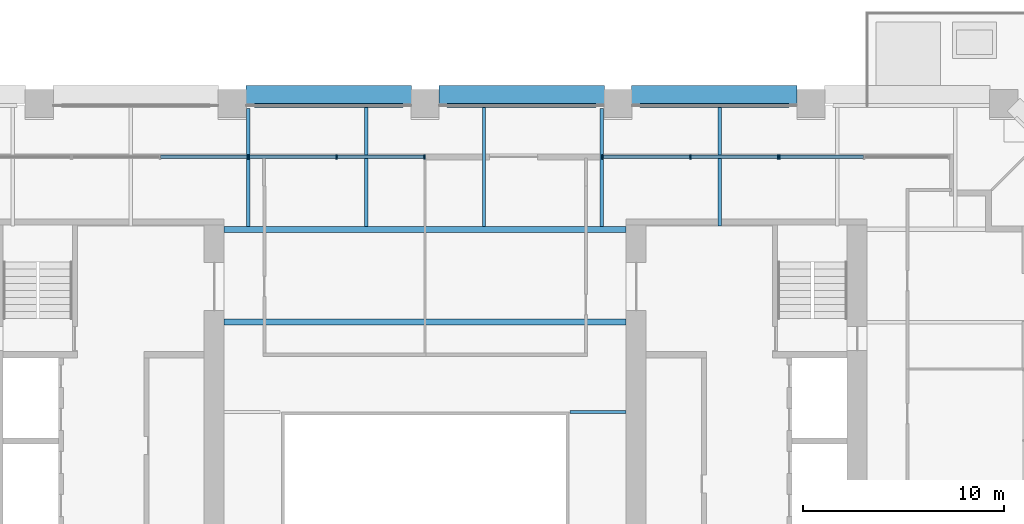
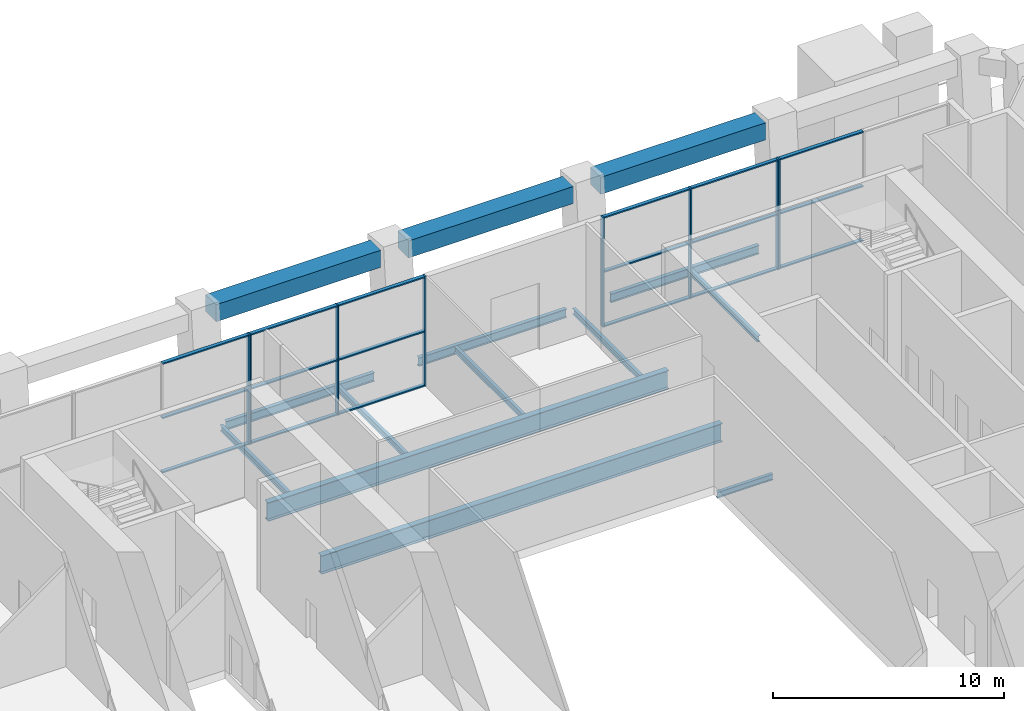
# One storey, part 8 of 20: 26 members, 14 beams, 4 elements without a shape of their own.
"""IFC4 building model written with IfcOpenShell, lengths in metres."""

from ifc_helpers import new_model, si_unit, direction, frame, origin, origin_2d, place, context, subcontext, project, spatial, rectangle, i_section, extrude, material, material_profile, profile_set, type_object, element, aggregate, save


model = new_model("IFC4")

# Units and contexts
model_context = context("Model", 3, precision=1e-05, world=origin(), true_north=direction((0.0, 1.0)))
body_context = subcontext(model_context, "Body", "Model", "MODEL_VIEW")
ifc_project = project(units=[si_unit("LENGTHUNIT", "METRE"), si_unit("AREAUNIT", "SQUARE_METRE"), si_unit("VOLUMEUNIT", "CUBIC_METRE"), si_unit("PLANEANGLEUNIT", "RADIAN"), si_unit("MASSUNIT", "GRAM", prefix="KILO")], contexts=[model_context])

# Site, building, storey
site_placement = place(None, origin())
site = spatial("IfcSite", under=ifc_project, at=site_placement, CompositionType="ELEMENT")
building_placement = place(site_placement, origin())
building = spatial("IfcBuilding", under=site, at=building_placement, Name="Ogive Exchange Tower", CompositionType="ELEMENT")
storey_placement = place(building_placement, frame((0.0, 0.0, 33.60009765625)))
storey = spatial("IfcBuildingStorey", under=building, at=storey_placement, Name="L06", CompositionType="ELEMENT", Elevation=33.60009765625)

# Beams
ifc_material_1 = material(Name="Steel ASTM A992 Gr50", Category="steel")
ifc_material_profile_1 = material_profile(ifc_material_1, i_section(OverallWidth=0.300048828125, OverallDepth=0.969970703125, WebThickness=0.01611328125, FlangeThickness=0.02099609375, at=origin_2d()), Name="W1000x222")
ifc_profile_set_1 = profile_set([ifc_material_profile_1], Name="Steel ASTM A992 Gr50")
beam_type_1 = type_object("IfcBeamType", Name="Floor beam W1000x222", PredefinedType="JOIST", material=ifc_profile_set_1)
beam_1_placement = place(storey_placement, frame((-10.0, 20.62255859375, -0.93505859375), z_axis=(1.0, 0.0, 0.0), x_axis=(0.0, 1.0, 0.0)))
element("IfcBeam", 1, at=beam_1_placement, inside=storey, type_object=beam_type_1, Name="Floor beam", PredefinedType="JOIST", context=body_context, shape_type="SweptSolid", body=[
    extrude(i_section(OverallWidth=0.300048828125, OverallDepth=0.969970703125, WebThickness=0.01611328125, FlangeThickness=0.02099609375, at=origin_2d()), origin(), (0.0, 0.0, 1.0), 20.0),
])
ifc_material_profile_2 = material_profile(ifc_material_1, i_section(OverallWidth=0.1650390625, OverallDepth=0.31005859375, WebThickness=0.005859375, FlangeThickness=0.009765625, at=origin_2d()), Name="W310x38.7")
ifc_profile_set_2 = profile_set([ifc_material_profile_2], Name="Steel ASTM A992 Gr50")
beam_type_2 = type_object("IfcBeamType", Name="Floor beam W310x38.7", PredefinedType="JOIST", material=ifc_profile_set_2)
beam_2_placement = place(storey_placement, frame((-8.794189453125, 25.39501953125, -0.60498046875), z_axis=(0.0, 1.0, 0.0), x_axis=(-1.0, 0.0, 0.0)))
element("IfcBeam", 2, at=beam_2_placement, inside=storey, type_object=beam_type_2, Name="Floor beam", PredefinedType="JOIST", context=body_context, shape_type="SweptSolid", body=[
    extrude(i_section(OverallWidth=0.1650390625, OverallDepth=0.31005859375, WebThickness=0.005859375, FlangeThickness=0.009765625, at=origin_2d()), origin(), (0.0, 0.0, 1.0), 5.85009765625),
])
for number, where, z_axis, x_axis, name in (
    (3, (-2.931396484375, 25.39501953125, -0.60498046875), (0.0, 1.0, 0.0), (-1.0, 0.0, 0.0), "Floor beam"),
    (4, (2.931396484375, 25.39501953125, -0.60498046875), (0.0, 1.0, 0.0), (-1.0, 0.0, 0.0), "Floor beam"),
):
    element("IfcBeam", number, at=place(storey_placement, frame(where, z_axis=z_axis, x_axis=x_axis)), inside=storey, type_object=beam_type_2, Name=name, PredefinedType="JOIST", context=body_context, shape_type="SweptSolid", body=[
        extrude(i_section(OverallWidth=0.1650390625, OverallDepth=0.31005859375, WebThickness=0.005859375, FlangeThickness=0.009765625, at=origin_2d()), origin(), (0.0, 0.0, 1.0), 5.909423828125),
    ])
beam_3_placement = place(storey_placement, frame((8.794189453125, 25.39501953125, -0.60498046875), z_axis=(0.0, 1.0, 0.0), x_axis=(-1.0, 0.0, 0.0)))
element("IfcBeam", 5, at=beam_3_placement, inside=storey, type_object=beam_type_2, Name="Floor beam", PredefinedType="JOIST", context=body_context, shape_type="SweptSolid", body=[
    extrude(i_section(OverallWidth=0.1650390625, OverallDepth=0.31005859375, WebThickness=0.005859375, FlangeThickness=0.009765625, at=origin_2d()), origin(), (0.0, 0.0, 1.0), 5.85009765625),
])
beam_4_placement = place(storey_placement, frame((14.65673828125, 25.39990234375, -0.60498046875), z_axis=(0.0, 1.0, 0.0), x_axis=(-1.0, 0.0, 0.0)))
element("IfcBeam", 6, at=beam_4_placement, inside=storey, type_object=beam_type_2, Name="Floor beam", PredefinedType="JOIST", context=body_context, shape_type="SweptSolid", body=[
    extrude(i_section(OverallWidth=0.1650390625, OverallDepth=0.31005859375, WebThickness=0.005859375, FlangeThickness=0.009765625, at=origin_2d()), origin(), (0.0, 0.0, 1.0), 5.904541015625),
])
ifc_material_profile_3 = material_profile(ifc_material_1, i_section(OverallWidth=0.300048828125, OverallDepth=0.97998046875, WebThickness=0.0166015625, FlangeThickness=0.026123046875, at=origin_2d()), Name="W1000x249")
ifc_profile_set_3 = profile_set([ifc_material_profile_3], Name="Steel ASTM A992 Gr50")
beam_type_3 = type_object("IfcBeamType", Name="Girder W1000x249", PredefinedType="BEAM", material=ifc_profile_set_3)
beam_5_placement = place(storey_placement, frame((-10.0, 25.2451171875, -0.940185546875), z_axis=(1.0, 0.0, 0.0), x_axis=(0.0, 1.0, 0.0)))
element("IfcBeam", 7, at=beam_5_placement, inside=storey, type_object=beam_type_3, Name="Header girder", PredefinedType="BEAM", context=body_context, shape_type="SweptSolid", body=[
    extrude(i_section(OverallWidth=0.300048828125, OverallDepth=0.97998046875, WebThickness=0.0166015625, FlangeThickness=0.026123046875, at=origin_2d()), origin(), (0.0, 0.0, 1.0), 20.0),
])
ifc_material_profile_4 = material_profile(ifc_material_1, i_section(OverallWidth=0.1650390625, OverallDepth=0.31005859375, WebThickness=0.005859375, FlangeThickness=0.009765625, at=origin_2d()), Name="W310x38.7")
ifc_profile_set_4 = profile_set([ifc_material_profile_4], Name="Steel ASTM A992 Gr50")
beam_type_4 = type_object("IfcBeamType", Name="Girder W310x38.7", PredefinedType="BEAM", material=ifc_profile_set_4)
beam_6_placement = place(storey_placement, frame((7.219970703125, 16.155029296875, -0.60498046875), z_axis=(1.0, 0.0, 0.0), x_axis=(0.0, 1.0, 0.0)))
element("IfcBeam", 8, at=beam_6_placement, inside=storey, type_object=beam_type_4, Name="Trimmer girder", PredefinedType="BEAM", context=body_context, shape_type="SweptSolid", body=[
    extrude(i_section(OverallWidth=0.1650390625, OverallDepth=0.31005859375, WebThickness=0.005859375, FlangeThickness=0.009765625, at=origin_2d()), origin(), (0.0, 0.0, 1.0), 2.780029296875),
])
ifc_material_profile_5 = material_profile(ifc_material_1, i_section(OverallWidth=0.19091796875, OverallDepth=0.45703125, WebThickness=0.009033203125, FlangeThickness=0.014404296875, at=origin_2d()), Name="W460x74")
ifc_profile_set_5 = profile_set([ifc_material_profile_5], Name="Steel ASTM A992 Gr50")
beam_type_5 = type_object("IfcBeamType", Name="Girder W460x74", PredefinedType="BEAM", material=ifc_profile_set_5)
beam_7_placement = place(storey_placement, frame((18.10009765625, 31.39990234375, -0.6787109375), z_axis=(-1.0, 0.0, 0.0), x_axis=(0.0, -1.0, 0.0)))
element("IfcBeam", 9, at=beam_7_placement, inside=storey, type_object=beam_type_5, Name="Girder", PredefinedType="BEAM", context=body_context, shape_type="SweptSolid", body=[
    extrude(i_section(OverallWidth=0.19091796875, OverallDepth=0.45703125, WebThickness=0.009033203125, FlangeThickness=0.014404296875, at=origin_2d()), origin(), (0.0, 0.0, 1.0), 7.400146484375),
])
for number, where, z_axis, x_axis, name in (
    (10, (8.5, 31.39990234375, -0.6787109375), (-1.0, 0.0, 0.0), (0.0, -1.0, 0.0), "Girder"),
    (11, (-1.10009765625, 31.39990234375, -0.6787109375), (-1.0, 0.0, 0.0), (0.0, -1.0, 0.0), "Girder"),
):
    element("IfcBeam", number, at=place(storey_placement, frame(where, z_axis=z_axis, x_axis=x_axis)), inside=storey, type_object=beam_type_5, Name=name, PredefinedType="BEAM", context=body_context, shape_type="SweptSolid", body=[
        extrude(i_section(OverallWidth=0.19091796875, OverallDepth=0.45703125, WebThickness=0.009033203125, FlangeThickness=0.014404296875, at=origin_2d()), origin(), (0.0, 0.0, 1.0), 7.39990234375),
    ])
ifc_material_2 = material(Name="Precast concrete C70/85 (limestone faced)", Category="masonry")
ifc_material_profile_6 = material_profile(ifc_material_2, rectangle(XDim=0.89990234375, YDim=0.89990234375, at=origin_2d()), Name="900 x 900")
ifc_profile_set_6 = profile_set([ifc_material_profile_6], Name="Precast concrete C70/85 (limestone faced)")
beam_type_6 = type_object("IfcBeamType", Name="Precast spandrel 900 x 900 C70/85", PredefinedType="SPANDREL", material=ifc_profile_set_6)
for number, where, z_axis, x_axis, name in (
    (12, (18.52001953125, 31.945556640625, 5.2998046875), (-1.0, 0.0, 0.0), (0.0, -1.0, 0.0), "Spandrel 19"),
    (13, (8.919921875, 31.945556640625, 5.2998046875), (-1.0, 0.0, 0.0), (0.0, -1.0, 0.0), "Spandrel 20"),
    (14, (-0.679931640625, 31.945556640625, 5.2998046875), (-1.0, 0.0, 0.0), (0.0, -1.0, 0.0), "Spandrel 21"),
):
    element("IfcBeam", number, at=place(storey_placement, frame(where, z_axis=z_axis, x_axis=x_axis)), inside=storey, type_object=beam_type_6, Name=name, PredefinedType="SPANDREL", context=body_context, shape_type="SweptSolid", body=[
        extrude(rectangle(XDim=0.89990234375, YDim=0.89990234375, at=origin_2d()), origin(), (0.0, 0.0, 1.0), 8.239990234375),
    ])

# Curtain wall, member
ifc_material_3 = material(Name="Anodised aluminium and clear glass", Category="aluminium")
curtain_wall_type = type_object("IfcCurtainWallType", Name="Sky lobby glazing", PredefinedType="NOTDEFINED", material=ifc_material_3)
curtain_wall_1_placement = place(storey_placement, origin())
curtain_wall_1 = element("IfcCurtainWall", 15, at=curtain_wall_1_placement, inside=storey, type_object=curtain_wall_type, Name="Sky lobby glazing run G14", PredefinedType="NOTDEFINED")
ifc_material_4 = material(Name="Anodised aluminium", Category="aluminium")
ifc_material_profile_7 = material_profile(ifc_material_4, rectangle(XDim=0.219970703125, YDim=0.070068359375, at=origin_2d()), Name="AL 70x220")
ifc_profile_set_7 = profile_set([ifc_material_profile_7], Name="Anodised aluminium")
member_type_1 = type_object("IfcMemberType", Name="Sky lobby glazing mullion 70 x 220", PredefinedType="MULLION", material=ifc_profile_set_7)
member_1_placement = place(storey_placement, frame((17.635009765625, 28.85009765625, 0.0), z_axis=(0.0, 0.0, 1.0), x_axis=(0.0, -1.0, 0.0)))
member_1 = element("IfcMember", 16, at=member_1_placement, type_object=member_type_1, Name="G14 mullion 3", PredefinedType="MULLION", context=body_context, shape_type="SweptSolid", body=[
    extrude(rectangle(XDim=0.219970703125, YDim=0.070068359375, at=origin_2d()), origin(), (0.0, 0.0, 1.0), 5.7998046875),
])

# Curtain wall, members
curtain_wall_2_placement = place(storey_placement, origin())
curtain_wall_2 = element("IfcCurtainWall", 17, at=curtain_wall_2_placement, inside=storey, type_object=curtain_wall_type, Name="Sky lobby glazing run G15", PredefinedType="NOTDEFINED")
member_2_placement = place(storey_placement, frame((17.56494140625, 28.85009765625, 0.0), z_axis=(0.0, 0.0, 1.0), x_axis=(0.0, -1.0, 0.0)))
member_2 = element("IfcMember", 18, at=member_2_placement, type_object=member_type_1, Name="G15 mullion 1", PredefinedType="MULLION", context=body_context, shape_type="SweptSolid", body=[
    extrude(rectangle(XDim=0.219970703125, YDim=0.070068359375, at=origin_2d()), origin(), (0.0, 0.0, 1.0), 5.7998046875),
])
member_3_placement = place(storey_placement, frame((13.199951171875, 28.85009765625, 0.0), z_axis=(0.0, 0.0, 1.0), x_axis=(0.0, -1.0, 0.0)))
member_3 = element("IfcMember", 19, at=member_3_placement, type_object=member_type_1, Name="G15 mullion 2", PredefinedType="MULLION", context=body_context, shape_type="SweptSolid", body=[
    extrude(rectangle(XDim=0.219970703125, YDim=0.070068359375, at=origin_2d()), origin(), (0.0, 0.0, 1.0), 5.7998046875),
])
member_4_placement = place(storey_placement, frame((8.8349609375, 28.85009765625, 0.0), z_axis=(0.0, 0.0, 1.0), x_axis=(0.0, -1.0, 0.0)))
member_4 = element("IfcMember", 20, at=member_4_placement, type_object=member_type_1, Name="G15 mullion 3", PredefinedType="MULLION", context=body_context, shape_type="SweptSolid", body=[
    extrude(rectangle(XDim=0.219970703125, YDim=0.070068359375, at=origin_2d()), origin(), (0.0, 0.0, 1.0), 5.7998046875),
])

curtain_wall_3_placement = place(storey_placement, origin())
curtain_wall_3 = element("IfcCurtainWall", 21, at=curtain_wall_3_placement, inside=storey, type_object=curtain_wall_type, Name="Sky lobby glazing run G17", PredefinedType="NOTDEFINED")
member_5_placement = place(storey_placement, frame((-0.034912109375, 28.85009765625, 0.0), z_axis=(0.0, 0.0, 1.0), x_axis=(0.0, -1.0, 0.0)))
member_5 = element("IfcMember", 22, at=member_5_placement, type_object=member_type_1, Name="G17 mullion 1", PredefinedType="MULLION", context=body_context, shape_type="SweptSolid", body=[
    extrude(rectangle(XDim=0.219970703125, YDim=0.070068359375, at=origin_2d()), origin(), (0.0, 0.0, 1.0), 5.7998046875),
])
member_6_placement = place(storey_placement, frame((-4.39990234375, 28.85009765625, 0.0), z_axis=(0.0, 0.0, 1.0), x_axis=(0.0, -1.0, 0.0)))
member_6 = element("IfcMember", 23, at=member_6_placement, type_object=member_type_1, Name="G17 mullion 2", PredefinedType="MULLION", context=body_context, shape_type="SweptSolid", body=[
    extrude(rectangle(XDim=0.219970703125, YDim=0.070068359375, at=origin_2d()), origin(), (0.0, 0.0, 1.0), 5.7998046875),
])
member_7_placement = place(storey_placement, frame((-8.764892578125, 28.85009765625, 0.0), z_axis=(0.0, 0.0, 1.0), x_axis=(0.0, -1.0, 0.0)))
member_7 = element("IfcMember", 24, at=member_7_placement, type_object=member_type_1, Name="G17 mullion 3", PredefinedType="MULLION", context=body_context, shape_type="SweptSolid", body=[
    extrude(rectangle(XDim=0.219970703125, YDim=0.070068359375, at=origin_2d()), origin(), (0.0, 0.0, 1.0), 5.7998046875),
])

# Curtain wall, member
curtain_wall_4_placement = place(storey_placement, origin())
curtain_wall_4 = element("IfcCurtainWall", 25, at=curtain_wall_4_placement, inside=storey, type_object=curtain_wall_type, Name="Sky lobby glazing run G18", PredefinedType="NOTDEFINED")
member_8_placement = place(storey_placement, frame((-8.8349609375, 28.85009765625, 0.0), z_axis=(0.0, 0.0, 1.0), x_axis=(0.0, -1.0, 0.0)))
member_8 = element("IfcMember", 26, at=member_8_placement, type_object=member_type_1, Name="G18 mullion 1", PredefinedType="MULLION", context=body_context, shape_type="SweptSolid", body=[
    extrude(rectangle(XDim=0.219970703125, YDim=0.070068359375, at=origin_2d()), origin(), (0.0, 0.0, 1.0), 5.7998046875),
])

# Member
ifc_material_profile_8 = material_profile(ifc_material_4, rectangle(XDim=0.179931640625, YDim=0.070068359375, at=origin_2d()), Name="AL 70x180")
ifc_profile_set_8 = profile_set([ifc_material_profile_8], Name="Anodised aluminium")
member_type_2 = type_object("IfcMemberType", Name="Sky lobby glazing transom 70 x 180", PredefinedType="USERDEFINED", material=ifc_profile_set_8)
member_9_placement = place(storey_placement, frame((21.81494140625, 28.85009765625, 0.034912109375), z_axis=(-1.0, 0.0, 0.0), x_axis=(0.0, -1.0, 0.0)))
member_9 = element("IfcMember", 27, at=member_9_placement, type_object=member_type_2, Name="G14 transom 2.1", ObjectType="TRANSOM", PredefinedType="USERDEFINED", context=body_context, shape_type="SweptSolid", body=[
    extrude(rectangle(XDim=0.179931640625, YDim=0.070068359375, at=origin_2d()), origin(), (0.0, 0.0, 1.0), 4.14501953125),
])

member_10_placement = place(storey_placement, frame((21.81494140625, 28.85009765625, 2.89990234375), z_axis=(-1.0, 0.0, 0.0), x_axis=(0.0, -1.0, 0.0)))
member_10 = element("IfcMember", 28, at=member_10_placement, type_object=member_type_2, Name="G14 transom 2.2", ObjectType="TRANSOM", PredefinedType="USERDEFINED", context=body_context, shape_type="SweptSolid", body=[
    extrude(rectangle(XDim=0.179931640625, YDim=0.070068359375, at=origin_2d()), origin(), (0.0, 0.0, 1.0), 4.14501953125),
])

member_11_placement = place(storey_placement, frame((21.81494140625, 28.85009765625, 5.764892578125), z_axis=(-1.0, 0.0, 0.0), x_axis=(0.0, -1.0, 0.0)))
member_11 = element("IfcMember", 29, at=member_11_placement, type_object=member_type_2, Name="G14 transom 2.3", ObjectType="TRANSOM", PredefinedType="USERDEFINED", context=body_context, shape_type="SweptSolid", body=[
    extrude(rectangle(XDim=0.179931640625, YDim=0.070068359375, at=origin_2d()), origin(), (0.0, 0.0, 1.0), 4.14501953125),
])

aggregate(curtain_wall_1, [member_1, member_9, member_10, member_11])

member_12_placement = place(storey_placement, frame((17.530029296875, 28.85009765625, 0.034912109375), z_axis=(-1.0, 0.0, 0.0), x_axis=(0.0, -1.0, 0.0)))
member_12 = element("IfcMember", 30, at=member_12_placement, type_object=member_type_2, Name="G15 transom 1.1", ObjectType="TRANSOM", PredefinedType="USERDEFINED", context=body_context, shape_type="SweptSolid", body=[
    extrude(rectangle(XDim=0.179931640625, YDim=0.070068359375, at=origin_2d()), origin(), (0.0, 0.0, 1.0), 4.294921875),
])

member_13_placement = place(storey_placement, frame((17.530029296875, 28.85009765625, 2.89990234375), z_axis=(-1.0, 0.0, 0.0), x_axis=(0.0, -1.0, 0.0)))
member_13 = element("IfcMember", 31, at=member_13_placement, type_object=member_type_2, Name="G15 transom 1.2", ObjectType="TRANSOM", PredefinedType="USERDEFINED", context=body_context, shape_type="SweptSolid", body=[
    extrude(rectangle(XDim=0.179931640625, YDim=0.070068359375, at=origin_2d()), origin(), (0.0, 0.0, 1.0), 4.294921875),
])

member_14_placement = place(storey_placement, frame((17.530029296875, 28.85009765625, 5.764892578125), z_axis=(-1.0, 0.0, 0.0), x_axis=(0.0, -1.0, 0.0)))
member_14 = element("IfcMember", 32, at=member_14_placement, type_object=member_type_2, Name="G15 transom 1.3", ObjectType="TRANSOM", PredefinedType="USERDEFINED", context=body_context, shape_type="SweptSolid", body=[
    extrude(rectangle(XDim=0.179931640625, YDim=0.070068359375, at=origin_2d()), origin(), (0.0, 0.0, 1.0), 4.294921875),
])

member_15_placement = place(storey_placement, frame((13.1650390625, 28.85009765625, 0.034912109375), z_axis=(-1.0, 0.0, 0.0), x_axis=(0.0, -1.0, 0.0)))
member_15 = element("IfcMember", 33, at=member_15_placement, type_object=member_type_2, Name="G15 transom 2.1", ObjectType="TRANSOM", PredefinedType="USERDEFINED", context=body_context, shape_type="SweptSolid", body=[
    extrude(rectangle(XDim=0.179931640625, YDim=0.070068359375, at=origin_2d()), origin(), (0.0, 0.0, 1.0), 4.294921875),
])

member_16_placement = place(storey_placement, frame((13.1650390625, 28.85009765625, 2.89990234375), z_axis=(-1.0, 0.0, 0.0), x_axis=(0.0, -1.0, 0.0)))
member_16 = element("IfcMember", 34, at=member_16_placement, type_object=member_type_2, Name="G15 transom 2.2", ObjectType="TRANSOM", PredefinedType="USERDEFINED", context=body_context, shape_type="SweptSolid", body=[
    extrude(rectangle(XDim=0.179931640625, YDim=0.070068359375, at=origin_2d()), origin(), (0.0, 0.0, 1.0), 4.294921875),
])

member_17_placement = place(storey_placement, frame((13.1650390625, 28.85009765625, 5.764892578125), z_axis=(-1.0, 0.0, 0.0), x_axis=(0.0, -1.0, 0.0)))
member_17 = element("IfcMember", 35, at=member_17_placement, type_object=member_type_2, Name="G15 transom 2.3", ObjectType="TRANSOM", PredefinedType="USERDEFINED", context=body_context, shape_type="SweptSolid", body=[
    extrude(rectangle(XDim=0.179931640625, YDim=0.070068359375, at=origin_2d()), origin(), (0.0, 0.0, 1.0), 4.294921875),
])

aggregate(curtain_wall_2, [member_2, member_3, member_4, member_12, member_13, member_14, member_15, member_16, member_17])

member_18_placement = place(storey_placement, frame((-0.070068359375, 28.85009765625, 0.034912109375), z_axis=(-1.0, 0.0, 0.0), x_axis=(0.0, -1.0, 0.0)))
member_18 = element("IfcMember", 36, at=member_18_placement, type_object=member_type_2, Name="G17 transom 1.1", ObjectType="TRANSOM", PredefinedType="USERDEFINED", context=body_context, shape_type="SweptSolid", body=[
    extrude(rectangle(XDim=0.179931640625, YDim=0.070068359375, at=origin_2d()), origin(), (0.0, 0.0, 1.0), 4.294921875),
])

member_19_placement = place(storey_placement, frame((-0.070068359375, 28.85009765625, 2.89990234375), z_axis=(-1.0, 0.0, 0.0), x_axis=(0.0, -1.0, 0.0)))
member_19 = element("IfcMember", 37, at=member_19_placement, type_object=member_type_2, Name="G17 transom 1.2", ObjectType="TRANSOM", PredefinedType="USERDEFINED", context=body_context, shape_type="SweptSolid", body=[
    extrude(rectangle(XDim=0.179931640625, YDim=0.070068359375, at=origin_2d()), origin(), (0.0, 0.0, 1.0), 4.294921875),
])

member_20_placement = place(storey_placement, frame((-0.070068359375, 28.85009765625, 5.764892578125), z_axis=(-1.0, 0.0, 0.0), x_axis=(0.0, -1.0, 0.0)))
member_20 = element("IfcMember", 38, at=member_20_placement, type_object=member_type_2, Name="G17 transom 1.3", ObjectType="TRANSOM", PredefinedType="USERDEFINED", context=body_context, shape_type="SweptSolid", body=[
    extrude(rectangle(XDim=0.179931640625, YDim=0.070068359375, at=origin_2d()), origin(), (0.0, 0.0, 1.0), 4.294921875),
])

member_21_placement = place(storey_placement, frame((-4.43505859375, 28.85009765625, 0.034912109375), z_axis=(-1.0, 0.0, 0.0), x_axis=(0.0, -1.0, 0.0)))
member_21 = element("IfcMember", 39, at=member_21_placement, type_object=member_type_2, Name="G17 transom 2.1", ObjectType="TRANSOM", PredefinedType="USERDEFINED", context=body_context, shape_type="SweptSolid", body=[
    extrude(rectangle(XDim=0.179931640625, YDim=0.070068359375, at=origin_2d()), origin(), (0.0, 0.0, 1.0), 4.294921875),
])

member_22_placement = place(storey_placement, frame((-4.43505859375, 28.85009765625, 2.89990234375), z_axis=(-1.0, 0.0, 0.0), x_axis=(0.0, -1.0, 0.0)))
member_22 = element("IfcMember", 40, at=member_22_placement, type_object=member_type_2, Name="G17 transom 2.2", ObjectType="TRANSOM", PredefinedType="USERDEFINED", context=body_context, shape_type="SweptSolid", body=[
    extrude(rectangle(XDim=0.179931640625, YDim=0.070068359375, at=origin_2d()), origin(), (0.0, 0.0, 1.0), 4.294921875),
])

member_23_placement = place(storey_placement, frame((-4.43505859375, 28.85009765625, 5.764892578125), z_axis=(-1.0, 0.0, 0.0), x_axis=(0.0, -1.0, 0.0)))
member_23 = element("IfcMember", 41, at=member_23_placement, type_object=member_type_2, Name="G17 transom 2.3", ObjectType="TRANSOM", PredefinedType="USERDEFINED", context=body_context, shape_type="SweptSolid", body=[
    extrude(rectangle(XDim=0.179931640625, YDim=0.070068359375, at=origin_2d()), origin(), (0.0, 0.0, 1.0), 4.294921875),
])

aggregate(curtain_wall_3, [member_5, member_6, member_7, member_18, member_19, member_20, member_21, member_22, member_23])

member_24_placement = place(storey_placement, frame((-8.8701171875, 28.85009765625, 0.034912109375), z_axis=(-1.0, 0.0, 0.0), x_axis=(0.0, -1.0, 0.0)))
member_24 = element("IfcMember", 42, at=member_24_placement, type_object=member_type_2, Name="G18 transom 1.1", ObjectType="TRANSOM", PredefinedType="USERDEFINED", context=body_context, shape_type="SweptSolid", body=[
    extrude(rectangle(XDim=0.179931640625, YDim=0.070068359375, at=origin_2d()), origin(), (0.0, 0.0, 1.0), 4.294921875),
])

member_25_placement = place(storey_placement, frame((-8.8701171875, 28.85009765625, 2.89990234375), z_axis=(-1.0, 0.0, 0.0), x_axis=(0.0, -1.0, 0.0)))
member_25 = element("IfcMember", 43, at=member_25_placement, type_object=member_type_2, Name="G18 transom 1.2", ObjectType="TRANSOM", PredefinedType="USERDEFINED", context=body_context, shape_type="SweptSolid", body=[
    extrude(rectangle(XDim=0.179931640625, YDim=0.070068359375, at=origin_2d()), origin(), (0.0, 0.0, 1.0), 4.294921875),
])

member_26_placement = place(storey_placement, frame((-8.8701171875, 28.85009765625, 5.764892578125), z_axis=(-1.0, 0.0, 0.0), x_axis=(0.0, -1.0, 0.0)))
member_26 = element("IfcMember", 44, at=member_26_placement, type_object=member_type_2, Name="G18 transom 1.3", ObjectType="TRANSOM", PredefinedType="USERDEFINED", context=body_context, shape_type="SweptSolid", body=[
    extrude(rectangle(XDim=0.179931640625, YDim=0.070068359375, at=origin_2d()), origin(), (0.0, 0.0, 1.0), 4.294921875),
])

aggregate(curtain_wall_4, [member_8, member_24, member_25, member_26])

save(model, "model.ifc")
